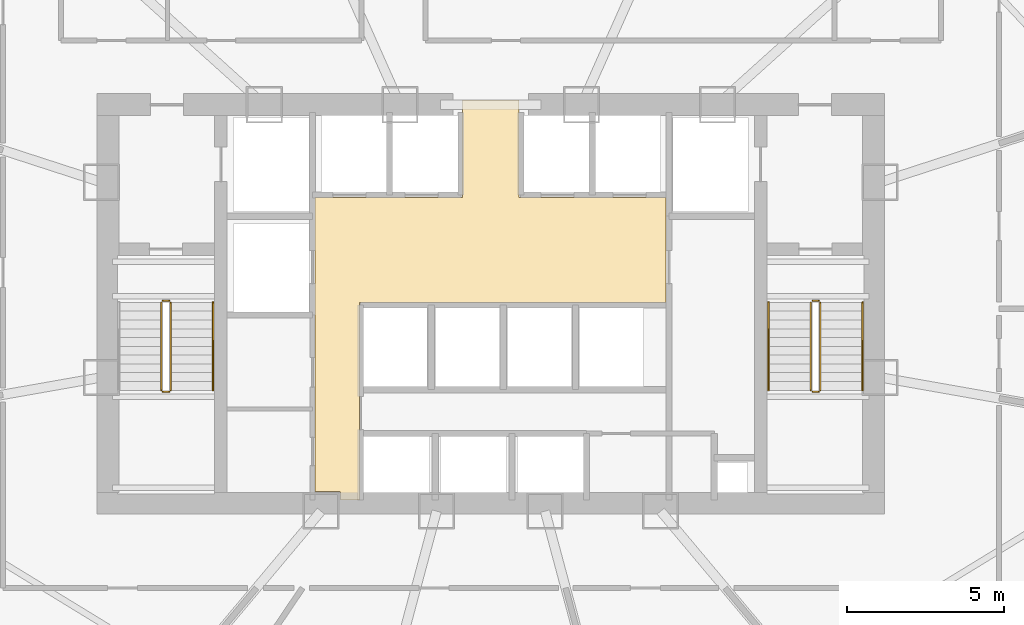
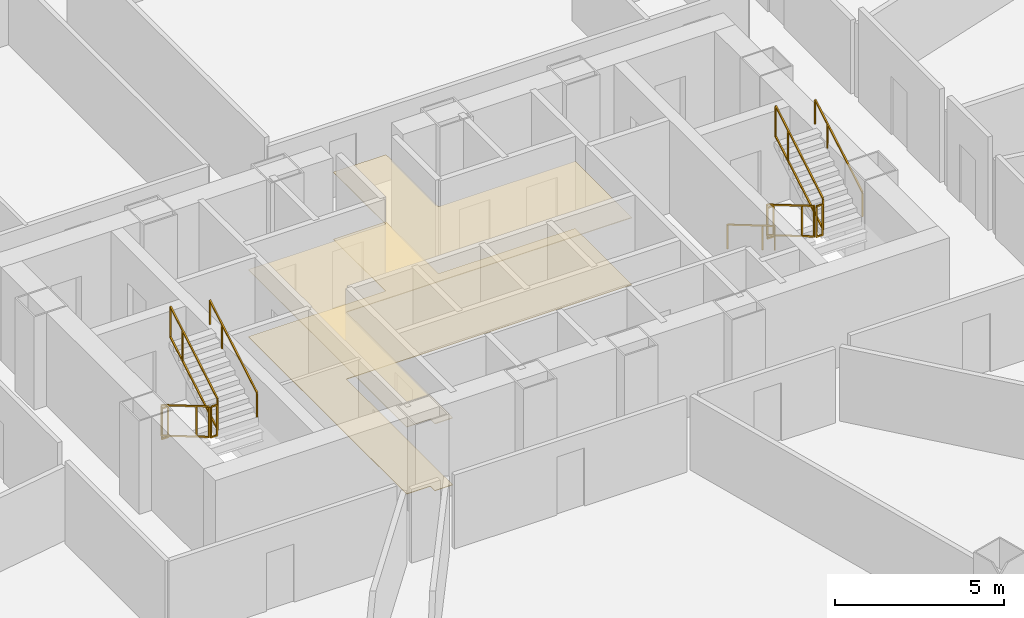
# One storey, part 40 of 42: 11 railings, 2 coverings.
"""IFC4 building model written with IfcOpenShell, lengths in metres."""

from ifc_helpers import new_model, si_unit, direction, frame, origin, origin_2d, place, context, subcontext, project, spatial, polyline, rectangle, outline, extrude, material, layer, layer_set, type_object, element, save


model = new_model("IFC4")

# Units and contexts
model_context = context("Model", 3, precision=1e-05, world=origin(), true_north=direction((0.0, 1.0)))
body_context = subcontext(model_context, "Body", "Model", "MODEL_VIEW")
ifc_project = project(units=[si_unit("LENGTHUNIT", "METRE"), si_unit("AREAUNIT", "SQUARE_METRE"), si_unit("VOLUMEUNIT", "CUBIC_METRE"), si_unit("PLANEANGLEUNIT", "RADIAN"), si_unit("MASSUNIT", "GRAM", prefix="KILO"), si_unit("THERMODYNAMICTEMPERATUREUNIT", "KELVIN"), si_unit("POWERUNIT", "WATT")], contexts=[model_context])

# Site, building, storey
site_placement = place(None, origin())
site = spatial("IfcSite", under=ifc_project, at=site_placement, CompositionType="ELEMENT")
building_placement = place(site_placement, origin())
building = spatial("IfcBuilding", under=site, at=building_placement, Name="Yunzhuo Pagoda Commons", CompositionType="ELEMENT")
storey_placement = place(building_placement, frame((0.0, 0.0, 48.550048828125)))
storey = spatial("IfcBuildingStorey", under=building, at=storey_placement, Name="L12", CompositionType="ELEMENT", Elevation=48.550048828125)

# Coverings
ifc_material_1 = material(Name="Mineral fibre acoustic ceiling board")
ifc_layer_1 = layer(ifc_material_1, 0.02490234375)
ifc_layer_set_1 = layer_set([ifc_layer_1], Name="Mineral fibre acoustic ceiling board")
covering_type_1 = type_object("IfcCoveringType", Name="COV-CL1 Ceiling 25", PredefinedType="CEILING", material=ifc_layer_set_1)
covering_1_placement = place(storey_placement, frame((0.0, 0.0, 2.419921875)))
element("IfcCovering", 1, at=covering_1_placement, inside=storey, type_object=covering_type_1, Name="L12 lift lobby acoustic ceiling", PredefinedType="CEILING", context=body_context, shape_type="SweptSolid", body=[
    extrude(outline(polyline([(43.207763671875, 27.85009765625), (43.201904296875, 27.864013671875), (43.187744140625, 27.8701171875), (42.39990234375, 27.8701171875), (42.39990234375, 33.89990234375), (42.39990234375, 37.25), (47.10009765625, 37.25), (47.10009765625, 40.35009765625), (48.89990234375, 40.35009765625), (48.89990234375, 37.25), (53.580078125, 37.25), (53.580078125, 33.89990234375), (43.820068359375, 33.89990234375), (43.820068359375, 27.60009765625), (43.207763671875, 27.60009765625), (43.207763671875, 27.85009765625)])), origin(), (0.0, 0.0, 1.0), 0.025146484375),
])
ifc_material_2 = material(Name="Porcelain ceramic floor tile")
ifc_layer_2 = layer(ifc_material_2, 0.02001953125)
ifc_layer_set_2 = layer_set([ifc_layer_2], Name="Porcelain ceramic floor tile")
covering_type_2 = type_object("IfcCoveringType", Name="COV-FL1 Flooring 20", PredefinedType="FLOORING", material=ifc_layer_set_2)
covering_2_placement = place(storey_placement, origin())
element("IfcCovering", 2, at=covering_2_placement, inside=storey, type_object=covering_type_2, Name="L12 lift lobby flooring", PredefinedType="FLOORING", context=body_context, shape_type="SweptSolid", body=[
    extrude(outline(polyline([(43.207763671875, 27.85009765625), (43.201904296875, 27.864013671875), (43.187744140625, 27.8701171875), (42.39990234375, 27.8701171875), (42.39990234375, 33.89990234375), (42.39990234375, 37.25), (47.10009765625, 37.25), (47.10009765625, 40.35009765625), (48.89990234375, 40.35009765625), (48.89990234375, 37.25), (53.580078125, 37.25), (53.580078125, 33.89990234375), (43.820068359375, 33.89990234375), (43.820068359375, 27.60009765625), (43.207763671875, 27.60009765625), (43.207763671875, 27.85009765625)])), origin(), (0.0, 0.0, 1.0), 0.02001953125),
])

# Railings
ifc_material_3 = material(Name="Anodized aluminium 6063-T6", Category="aluminium")
railing_type_1 = type_object("IfcRailingType", Name="GR-ST1 Stair Well Guardrail 1150", PredefinedType="GUARDRAIL", material=ifc_material_3)
railing_1_placement = place(storey_placement, frame((37.5, 33.89990234375, 0.1650390625)))
element("IfcRailing", 3, at=railing_1_placement, inside=storey, type_object=railing_type_1, Name="L12 ST1 stair guard 1", PredefinedType="GUARDRAIL", context=body_context, shape_type="SweptSolid", body=[
    extrude(rectangle(XDim=0.048095703125, YDim=0.048095703125, at=origin_2d()), frame((0.0, 0.0, 1.1259765625), z_axis=(0.0, -0.861536114422, 0.507696290658), x_axis=(1.0, 0.0, 0.0)), (0.0, 0.0, 1.0), 3.249755859375),
    extrude(rectangle(XDim=0.048095703125, YDim=0.048095703125, at=origin_2d()), frame((0.0, 0.0, 0.02392578125), z_axis=(0.0, -0.861536114422, 0.507696290658), x_axis=(1.0, 0.0, 0.0)), (0.0, 0.0, 1.0), 3.249755859375),
    extrude(rectangle(XDim=0.0419921875, YDim=0.0419921875, at=origin_2d()), origin(), (0.0, 0.0, 1.0), 1.101806640625),
    extrude(rectangle(XDim=0.0419921875, YDim=0.0419921875, at=origin_2d()), frame((0.0, -2.067626953125, 1.218505859375)), (0.0, 0.0, 1.0), 1.101806640625),
    extrude(rectangle(XDim=0.0419921875, YDim=0.0419921875, at=origin_2d()), frame((0.0, -2.7998046875, 1.64990234375)), (0.0, 0.0, 1.0), 1.101806640625),
])
railing_2_placement = place(storey_placement, frame((37.550048828125, 31.050048828125, 1.81494140625)))
element("IfcRailing", 4, at=railing_2_placement, inside=storey, type_object=railing_type_1, Name="L12 ST1 stair guard 2", PredefinedType="GUARDRAIL", context=body_context, shape_type="SweptSolid", body=[
    extrude(rectangle(XDim=0.048095703125, YDim=0.048095703125, at=origin_2d()), frame((0.0, 0.0, 1.1259765625), z_axis=(1.0, 0.0, 0.0), x_axis=(0.0, 1.0, 0.0)), (0.0, 0.0, 1.0), 0.199951171875),
    extrude(rectangle(XDim=0.048095703125, YDim=0.048095703125, at=origin_2d()), frame((0.0, 0.0, 0.02392578125), z_axis=(1.0, 0.0, 0.0), x_axis=(0.0, 1.0, 0.0)), (0.0, 0.0, 1.0), 0.199951171875),
    extrude(rectangle(XDim=0.0419921875, YDim=0.0419921875, at=origin_2d()), origin(), (0.0, 0.0, 1.0), 1.101806640625),
    extrude(rectangle(XDim=0.0419921875, YDim=0.0419921875, at=origin_2d()), frame((0.199951171875, 0.0, 0.0)), (0.0, 0.0, 1.0), 1.101806640625),
])
railing_3_placement = place(storey_placement, frame((37.800048828125, 31.10009765625, 1.97998046875)))
element("IfcRailing", 5, at=railing_3_placement, inside=storey, type_object=railing_type_1, Name="L12 ST1 stair guard 3", PredefinedType="GUARDRAIL", context=body_context, shape_type="SweptSolid", body=[
    extrude(rectangle(XDim=0.048095703125, YDim=0.048095703125, at=origin_2d()), frame((0.0, 0.0, 1.1259765625), z_axis=(0.0, 0.861536114422, 0.507696290658), x_axis=(-1.0, 0.0, 0.0)), (0.0, 0.0, 1.0), 3.249755859375),
    extrude(rectangle(XDim=0.048095703125, YDim=0.048095703125, at=origin_2d()), frame((0.0, 0.0, 0.02392578125), z_axis=(0.0, 0.861536114422, 0.507696290658), x_axis=(-1.0, 0.0, 0.0)), (0.0, 0.0, 1.0), 3.249755859375),
    extrude(rectangle(XDim=0.0419921875, YDim=0.0419921875, at=origin_2d()), origin(), (0.0, 0.0, 1.0), 1.101806640625),
    extrude(rectangle(XDim=0.0419921875, YDim=0.0419921875, at=origin_2d()), frame((0.0, 2.067626953125, 1.218505859375)), (0.0, 0.0, 1.0), 1.101806640625),
    extrude(rectangle(XDim=0.0419921875, YDim=0.0419921875, at=origin_2d()), frame((0.0, 2.7998046875, 1.64990234375)), (0.0, 0.0, 1.0), 1.101806640625),
])
railing_4_placement = place(storey_placement, frame((37.550048828125, 33.949951171875, 0.0)))
element("IfcRailing", 6, at=railing_4_placement, inside=storey, type_object=railing_type_1, Name="L12 ST1 stair guard 4", PredefinedType="GUARDRAIL", context=body_context, shape_type="SweptSolid", body=[
    extrude(rectangle(XDim=0.048095703125, YDim=0.048095703125, at=origin_2d()), frame((0.0, 0.0, 1.1259765625), z_axis=(1.0, 0.0, 0.0), x_axis=(0.0, 1.0, 0.0)), (0.0, 0.0, 1.0), 0.199951171875),
    extrude(rectangle(XDim=0.048095703125, YDim=0.048095703125, at=origin_2d()), frame((0.0, 0.0, 0.02392578125), z_axis=(1.0, 0.0, 0.0), x_axis=(0.0, 1.0, 0.0)), (0.0, 0.0, 1.0), 0.199951171875),
    extrude(rectangle(XDim=0.0419921875, YDim=0.0419921875, at=origin_2d()), origin(), (0.0, 0.0, 1.0), 1.101806640625),
    extrude(rectangle(XDim=0.0419921875, YDim=0.0419921875, at=origin_2d()), frame((0.199951171875, 0.0, 0.0)), (0.0, 0.0, 1.0), 1.101806640625),
])
railing_type_2 = type_object("IfcRailingType", Name="GR-ST2 Stair Well Guardrail 1160", PredefinedType="GUARDRAIL", material=ifc_material_3)
railing_5_placement = place(storey_placement, frame((58.199951171875, 33.89990234375, 0.1650390625)))
element("IfcRailing", 7, at=railing_5_placement, inside=storey, type_object=railing_type_2, Name="L12 ST2 stair guard 1", PredefinedType="GUARDRAIL", context=body_context, shape_type="SweptSolid", body=[
    extrude(rectangle(XDim=0.048095703125, YDim=0.048095703125, at=origin_2d()), frame((0.0, 0.0, 1.1259765625), z_axis=(0.0, -0.861536114422, 0.507696290658), x_axis=(1.0, 0.0, 0.0)), (0.0, 0.0, 1.0), 3.249755859375),
    extrude(rectangle(XDim=0.048095703125, YDim=0.048095703125, at=origin_2d()), frame((0.0, 0.0, 0.02392578125), z_axis=(0.0, -0.861536114422, 0.507696290658), x_axis=(1.0, 0.0, 0.0)), (0.0, 0.0, 1.0), 3.249755859375),
    extrude(rectangle(XDim=0.0419921875, YDim=0.0419921875, at=origin_2d()), origin(), (0.0, 0.0, 1.0), 1.101806640625),
    extrude(rectangle(XDim=0.0419921875, YDim=0.0419921875, at=origin_2d()), frame((0.0, -2.067626953125, 1.218505859375)), (0.0, 0.0, 1.0), 1.101806640625),
    extrude(rectangle(XDim=0.0419921875, YDim=0.0419921875, at=origin_2d()), frame((0.0, -2.7998046875, 1.64990234375)), (0.0, 0.0, 1.0), 1.101806640625),
])
railing_6_placement = place(storey_placement, frame((58.25, 31.050048828125, 1.81494140625)))
element("IfcRailing", 8, at=railing_6_placement, inside=storey, type_object=railing_type_2, Name="L12 ST2 stair guard 2", PredefinedType="GUARDRAIL", context=body_context, shape_type="SweptSolid", body=[
    extrude(rectangle(XDim=0.048095703125, YDim=0.048095703125, at=origin_2d()), frame((0.0, 0.0, 1.1259765625), z_axis=(1.0, 0.0, 0.0), x_axis=(0.0, 1.0, 0.0)), (0.0, 0.0, 1.0), 0.199951171875),
    extrude(rectangle(XDim=0.048095703125, YDim=0.048095703125, at=origin_2d()), frame((0.0, 0.0, 0.02392578125), z_axis=(1.0, 0.0, 0.0), x_axis=(0.0, 1.0, 0.0)), (0.0, 0.0, 1.0), 0.199951171875),
    extrude(rectangle(XDim=0.0419921875, YDim=0.0419921875, at=origin_2d()), origin(), (0.0, 0.0, 1.0), 1.101806640625),
    extrude(rectangle(XDim=0.0419921875, YDim=0.0419921875, at=origin_2d()), frame((0.199951171875, 0.0, 0.0)), (0.0, 0.0, 1.0), 1.101806640625),
])
railing_7_placement = place(storey_placement, frame((58.5, 31.10009765625, 1.97998046875)))
element("IfcRailing", 9, at=railing_7_placement, inside=storey, type_object=railing_type_2, Name="L12 ST2 stair guard 3", PredefinedType="GUARDRAIL", context=body_context, shape_type="SweptSolid", body=[
    extrude(rectangle(XDim=0.048095703125, YDim=0.048095703125, at=origin_2d()), frame((0.0, 0.0, 1.1259765625), z_axis=(0.0, 0.861536114422, 0.507696290658), x_axis=(-1.0, 0.0, 0.0)), (0.0, 0.0, 1.0), 3.249755859375),
    extrude(rectangle(XDim=0.048095703125, YDim=0.048095703125, at=origin_2d()), frame((0.0, 0.0, 0.02392578125), z_axis=(0.0, 0.861536114422, 0.507696290658), x_axis=(-1.0, 0.0, 0.0)), (0.0, 0.0, 1.0), 3.249755859375),
    extrude(rectangle(XDim=0.0419921875, YDim=0.0419921875, at=origin_2d()), origin(), (0.0, 0.0, 1.0), 1.101806640625),
    extrude(rectangle(XDim=0.0419921875, YDim=0.0419921875, at=origin_2d()), frame((0.0, 2.067626953125, 1.218505859375)), (0.0, 0.0, 1.0), 1.101806640625),
    extrude(rectangle(XDim=0.0419921875, YDim=0.0419921875, at=origin_2d()), frame((0.0, 2.7998046875, 1.64990234375)), (0.0, 0.0, 1.0), 1.101806640625),
])
railing_8_placement = place(storey_placement, frame((58.25, 33.949951171875, 0.0)))
element("IfcRailing", 10, at=railing_8_placement, inside=storey, type_object=railing_type_2, Name="L12 ST2 stair guard 4", PredefinedType="GUARDRAIL", context=body_context, shape_type="SweptSolid", body=[
    extrude(rectangle(XDim=0.048095703125, YDim=0.048095703125, at=origin_2d()), frame((0.0, 0.0, 1.1259765625), z_axis=(1.0, 0.0, 0.0), x_axis=(0.0, 1.0, 0.0)), (0.0, 0.0, 1.0), 0.199951171875),
    extrude(rectangle(XDim=0.048095703125, YDim=0.048095703125, at=origin_2d()), frame((0.0, 0.0, 0.02392578125), z_axis=(1.0, 0.0, 0.0), x_axis=(0.0, 1.0, 0.0)), (0.0, 0.0, 1.0), 0.199951171875),
    extrude(rectangle(XDim=0.0419921875, YDim=0.0419921875, at=origin_2d()), origin(), (0.0, 0.0, 1.0), 1.101806640625),
    extrude(rectangle(XDim=0.0419921875, YDim=0.0419921875, at=origin_2d()), frame((0.199951171875, 0.0, 0.0)), (0.0, 0.0, 1.0), 1.101806640625),
])
railing_type_3 = type_object("IfcRailingType", Name="HR-ST1 Stair Handrail 900", PredefinedType="HANDRAIL", material=ifc_material_3)
railing_9_placement = place(storey_placement, frame((39.14990234375, 31.10009765625, 1.97998046875)))
element("IfcRailing", 11, at=railing_9_placement, inside=storey, type_object=railing_type_3, Name="L12 ST1 stair handrail 2", PredefinedType="HANDRAIL", context=body_context, shape_type="SweptSolid", body=[
    extrude(rectangle(XDim=0.048095703125, YDim=0.048095703125, at=origin_2d()), frame((0.0, 0.0, 0.8759765625), z_axis=(0.0, 0.861536114422, 0.507696290658), x_axis=(-1.0, 0.0, 0.0)), (0.0, 0.0, 1.0), 3.249755859375),
    extrude(rectangle(XDim=0.0419921875, YDim=0.0419921875, at=origin_2d()), origin(), (0.0, 0.0, 1.0), 0.851806640625),
    extrude(rectangle(XDim=0.0419921875, YDim=0.0419921875, at=origin_2d()), frame((0.0, 2.067626953125, 1.218505859375)), (0.0, 0.0, 1.0), 0.851806640625),
    extrude(rectangle(XDim=0.0419921875, YDim=0.0419921875, at=origin_2d()), frame((0.0, 2.7998046875, 1.64990234375)), (0.0, 0.0, 1.0), 0.851806640625),
])
railing_type_4 = type_object("IfcRailingType", Name="HR-ST2 Stair Handrail 900", PredefinedType="HANDRAIL", material=ifc_material_3)
railing_10_placement = place(storey_placement, frame((56.85009765625, 33.89990234375, 0.1650390625)))
element("IfcRailing", 12, at=railing_10_placement, inside=storey, type_object=railing_type_4, Name="L12 ST2 stair handrail 1", PredefinedType="HANDRAIL", context=body_context, shape_type="SweptSolid", body=[
    extrude(rectangle(XDim=0.048095703125, YDim=0.048095703125, at=origin_2d()), frame((0.0, 0.0, 0.8759765625), z_axis=(0.0, -0.861536114422, 0.507696290658), x_axis=(1.0, 0.0, 0.0)), (0.0, 0.0, 1.0), 3.249755859375),
    extrude(rectangle(XDim=0.0419921875, YDim=0.0419921875, at=origin_2d()), origin(), (0.0, 0.0, 1.0), 0.851806640625),
    extrude(rectangle(XDim=0.0419921875, YDim=0.0419921875, at=origin_2d()), frame((0.0, -2.067626953125, 1.218505859375)), (0.0, 0.0, 1.0), 0.851806640625),
    extrude(rectangle(XDim=0.0419921875, YDim=0.0419921875, at=origin_2d()), frame((0.0, -2.7998046875, 1.64990234375)), (0.0, 0.0, 1.0), 0.851806640625),
])
railing_11_placement = place(storey_placement, frame((59.85009765625, 31.10009765625, 1.97998046875)))
element("IfcRailing", 13, at=railing_11_placement, inside=storey, type_object=railing_type_4, Name="L12 ST2 stair handrail 2", PredefinedType="HANDRAIL", context=body_context, shape_type="SweptSolid", body=[
    extrude(rectangle(XDim=0.048095703125, YDim=0.048095703125, at=origin_2d()), frame((0.0, 0.0, 0.8759765625), z_axis=(0.0, 0.861536114422, 0.507696290658), x_axis=(-1.0, 0.0, 0.0)), (0.0, 0.0, 1.0), 3.249755859375),
    extrude(rectangle(XDim=0.0419921875, YDim=0.0419921875, at=origin_2d()), origin(), (0.0, 0.0, 1.0), 0.851806640625),
    extrude(rectangle(XDim=0.0419921875, YDim=0.0419921875, at=origin_2d()), frame((0.0, 2.067626953125, 1.218505859375)), (0.0, 0.0, 1.0), 0.851806640625),
    extrude(rectangle(XDim=0.0419921875, YDim=0.0419921875, at=origin_2d()), frame((0.0, 2.7998046875, 1.64990234375)), (0.0, 0.0, 1.0), 0.851806640625),
])

save(model, "model.ifc")
